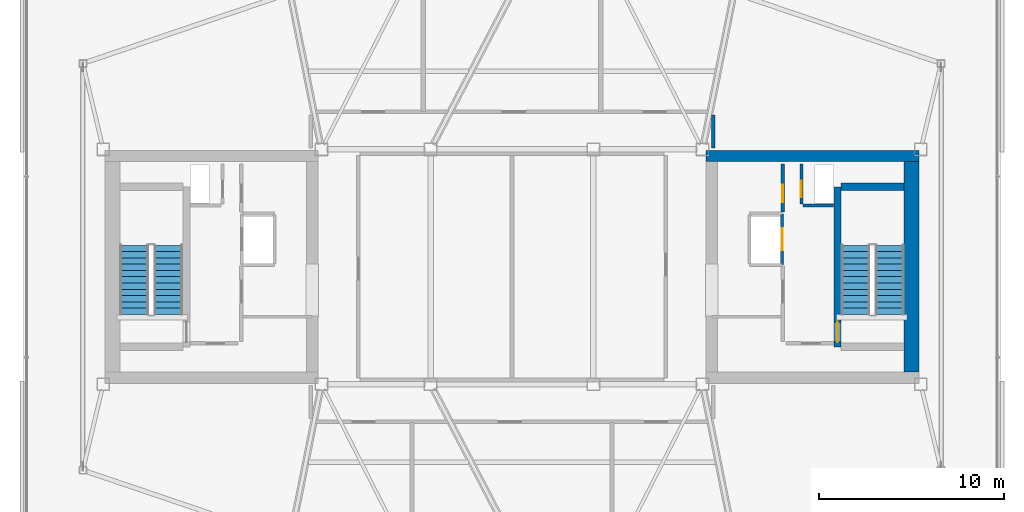
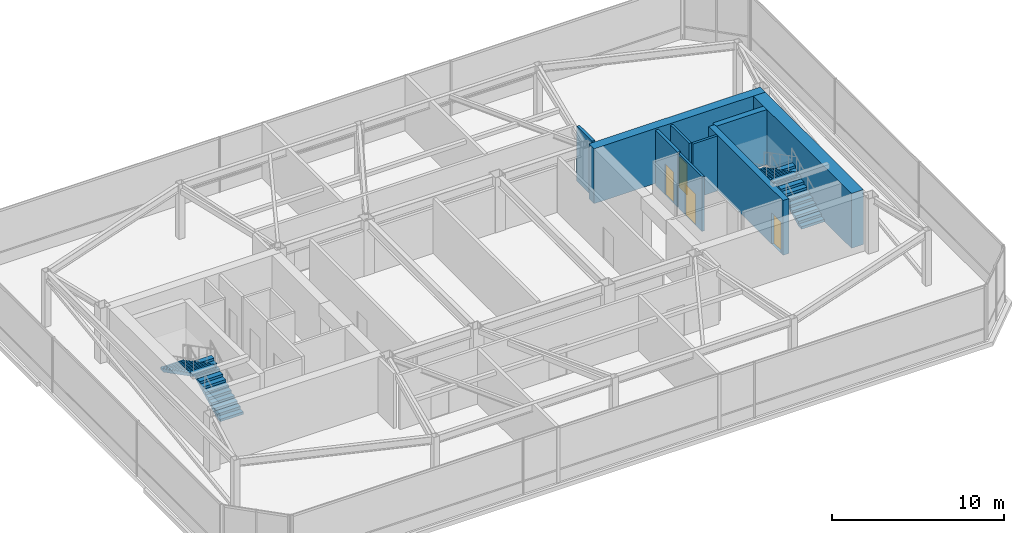
# One storey, part 18 of 21: 9 walls, 4 doors, 4 stair flights, 4 openings, 2 elements without a shape of their own.
"""IFC4 building model written with IfcOpenShell, lengths in metres."""

from ifc_helpers import new_model, si_unit, direction, frame, frame_2d, origin, place, context, subcontext, project, spatial, polyline, rectangle, outline, extrude, material, layer, layer_set, type_object, element, fill, aggregate, save


model = new_model("IFC4")

# Units and contexts
model_context = context("Model", 3, precision=1e-05, world=origin(), true_north=direction((0.0, 1.0)))
body_context = subcontext(model_context, "Body", "Model", "MODEL_VIEW")
ifc_project = project(units=[si_unit("LENGTHUNIT", "METRE"), si_unit("AREAUNIT", "SQUARE_METRE"), si_unit("VOLUMEUNIT", "CUBIC_METRE"), si_unit("PLANEANGLEUNIT", "RADIAN"), si_unit("MASSUNIT", "GRAM", prefix="KILO")], contexts=[model_context])

# Site, building, storey
site_placement = place(None, origin())
site = spatial("IfcSite", under=ifc_project, at=site_placement, CompositionType="ELEMENT")
building_placement = place(site_placement, origin())
building = spatial("IfcBuilding", under=site, at=building_placement, Name="Tavrogorsk Clinical Tower", CompositionType="ELEMENT")
storey_placement = place(building_placement, frame((0.0, 0.0, 348.60009765625)))
storey = spatial("IfcBuildingStorey", under=building, at=storey_placement, Name="L81", CompositionType="ELEMENT", Elevation=348.60009765625)

# Wall, opening, door
ifc_material_1 = material(Name="Concrete B60", Category="concrete")
ifc_layer_1 = layer(ifc_material_1, 0.199951171875)
ifc_layer_set_1 = layer_set([ifc_layer_1], Name="Concrete B60")
wall_type_1 = type_object("IfcWallType", Name="CoreFireWall_200", PredefinedType="SOLIDWALL", material=ifc_layer_set_1)
wall_1_placement = place(storey_placement, frame((14.639892578125, 2.9599609375, 0.0), z_axis=(0.0, 0.0, 1.0), x_axis=(0.0, 1.0, 0.0)))
wall_1 = element("IfcWall", 1, at=wall_1_placement, inside=storey, type_object=wall_type_1, Name="L81 Core East North Core Room East Wall", PredefinedType="SOLIDWALL", context=body_context, shape_type="SweptSolid", body=[
    extrude(rectangle(XDim=2.60009765625, YDim=0.199951171875, at=frame_2d((1.300048828125, 0.0))), origin(), (0.0, 0.0, 1.0), 3.89990234375),
])
opening_1_placement = place(wall_1_placement, frame((0.52001953125, 0.0, 0.0)))
opening_1 = element("IfcOpeningElement", 2, at=opening_1_placement, cuts=wall_1, Name="Opening ID-02", PredefinedType="OPENING", context=body_context, shape_type="SweptSolid", body=[
    extrude(rectangle(XDim=0.949951171875, YDim=2.199951171875, at=frame_2d((0.47509765625, 1.10009765625))), frame((0.0, 0.10986328125, 0.0), z_axis=(0.0, -1.0, 0.0), x_axis=(1.0, 0.0, 0.0)), (0.0, 0.0, 1.0), 0.219970703125),
])
ifc_material_2 = material(Name="Laminated timber leaf on aluminium frame", Category="wood")
door_type_1 = type_object("IfcDoorType", Name="InteriorDoor_ID02_950", OperationType="NOTDEFINED", PredefinedType="DOOR", material=ifc_material_2)
door_1_placement = place(opening_1_placement, origin())
door_1 = element("IfcDoor", 3, at=door_1_placement, inside=storey, type_object=door_type_1, Name="L81 Core East Core Telemetry Room Door", OperationType="SINGLE_SWING_LEFT", OverallHeight=2.199951171875, OverallWidth=0.949951171875, PredefinedType="DOOR", context=body_context, shape_type="SweptSolid", body=[
    extrude(rectangle(XDim=0.949951171875, YDim=2.199951171875, at=frame_2d((0.47509765625, 1.10009765625))), frame((0.0, 0.02490234375, 0.0), z_axis=(0.0, -1.0, 0.0), x_axis=(1.0, 0.0, 0.0)), (0.0, 0.0, 1.0), 0.050048828125),
])
fill(opening_1, door_1)

# Wall
wall_2_placement = place(storey_placement, frame((10.8798828125, 8.195068359375, 0.0), z_axis=(0.0, 0.0, 1.0), x_axis=(0.0, -1.0, 0.0)))
element("IfcWall", 4, at=wall_2_placement, inside=storey, type_object=wall_type_1, Name="L81 Crown Corridor Wall 04", PredefinedType="SOLIDWALL", context=body_context, shape_type="SweptSolid", body=[
    extrude(rectangle(XDim=1.775146484375, YDim=0.199951171875, at=frame_2d((0.8876953125, 0.0))), origin(), (0.0, 0.0, 1.0), 3.89990234375),
])

# Wall, opening, door
ifc_material_3 = material(Name="Lightweight concrete blockwork B25", Category="masonry")
ifc_layer_2 = layer(ifc_material_3, 0.159912109375)
ifc_layer_set_2 = layer_set([ifc_layer_2], Name="Lightweight concrete blockwork B25")
wall_type_2 = type_object("IfcWallType", Name="ShaftWall_160", PredefinedType="PARTITIONING", material=ifc_layer_set_2)
wall_3_placement = place(storey_placement, frame((14.60009765625, 0.1201171875, 0.0), z_axis=(0.0, 0.0, 1.0), x_axis=(0.0, 1.0, 0.0)))
wall_3 = element("IfcWall", 5, at=wall_3_placement, inside=storey, type_object=wall_type_2, Name="L81 FFL-E Firefighting Lift Front Wall", PredefinedType="PARTITIONING", context=body_context, shape_type="SweptSolid", body=[
    extrude(rectangle(XDim=2.739990234375, YDim=0.159912109375, at=frame_2d((1.3701171875, 0.0))), origin(), (0.0, 0.0, 1.0), 3.89990234375),
])
opening_2_placement = place(wall_3_placement, frame((0.77001953125, 0.0, 0.0)))
opening_2 = element("IfcOpeningElement", 6, at=opening_2_placement, cuts=wall_3, Name="Opening LD", PredefinedType="OPENING", context=body_context, shape_type="SweptSolid", body=[
    extrude(rectangle(XDim=1.199951171875, YDim=2.199951171875, at=frame_2d((0.60009765625, 1.10009765625))), frame((0.0, 0.08984375, 0.0), z_axis=(0.0, -1.0, 0.0), x_axis=(1.0, 0.0, 0.0)), (0.0, 0.0, 1.0), 0.179931640625),
])
ifc_material_4 = material(Name="Brushed stainless steel AISI 304 sliding doors", Category="steel")
door_type_2 = type_object("IfcDoorType", Name="LiftLandingDoor_LD_1200", OperationType="SLIDING_TO_LEFT", PredefinedType="DOOR", material=ifc_material_4)
door_2_placement = place(opening_2_placement, origin())
door_2 = element("IfcDoor", 7, at=door_2_placement, inside=storey, type_object=door_type_2, Name="L81 FFL-E Sliding Lift Landing Door", OperationType="SLIDING_TO_LEFT", OverallHeight=2.199951171875, OverallWidth=1.199951171875, PredefinedType="DOOR", context=body_context, shape_type="SweptSolid", body=[
    extrude(rectangle(XDim=1.199951171875, YDim=2.199951171875, at=frame_2d((0.60009765625, 1.10009765625))), frame((0.0, 0.02490234375, 0.0), z_axis=(0.0, -1.0, 0.0), x_axis=(1.0, 0.0, 0.0)), (0.0, 0.0, 1.0), 0.050048828125),
])
fill(opening_2, door_2)

wall_4_placement = place(storey_placement, frame((15.639892578125, 3.405029296875, 0.0), z_axis=(0.0, 0.0, 1.0), x_axis=(0.0, 1.0, 0.0)))
wall_4 = element("IfcWall", 8, at=wall_4_placement, inside=storey, type_object=wall_type_2, Name="L81 Core East Riser West Wall", PredefinedType="PARTITIONING", context=body_context, shape_type="SweptSolid", body=[
    extrude(rectangle(XDim=2.155029296875, YDim=0.159912109375, at=frame_2d((1.07763671875, 0.0))), origin(), (0.0, 0.0, 1.0), 3.89990234375),
])
opening_3_placement = place(wall_4_placement, frame((0.35009765625, 0.0, 0.0)))
opening_3 = element("IfcOpeningElement", 9, at=opening_3_placement, cuts=wall_4, Name="Opening FD-02", PredefinedType="OPENING", context=body_context, shape_type="SweptSolid", body=[
    extrude(rectangle(XDim=0.89990234375, YDim=2.199951171875, at=frame_2d((0.449951171875, 1.10009765625))), frame((0.0, 0.08984375, 0.0), z_axis=(0.0, -1.0, 0.0), x_axis=(1.0, 0.0, 0.0)), (0.0, 0.0, 1.0), 0.179931640625),
])
ifc_material_5 = material(Name="Galvanised steel fire-rated door assembly", Category="steel")
door_type_3 = type_object("IfcDoorType", Name="FireDoor_FD02_900", OperationType="NOTDEFINED", PredefinedType="DOOR", material=ifc_material_5)
door_3_placement = place(opening_3_placement, origin())
door_3 = element("IfcDoor", 10, at=door_3_placement, inside=storey, type_object=door_type_3, Name="L81 Core East Electrical Riser Access Door", OperationType="SINGLE_SWING_LEFT", OverallHeight=2.199951171875, OverallWidth=0.89990234375, PredefinedType="DOOR", context=body_context, shape_type="SweptSolid", body=[
    extrude(rectangle(XDim=0.89990234375, YDim=2.199951171875, at=frame_2d((0.449951171875, 1.10009765625))), frame((0.0, 0.02490234375, 0.0), z_axis=(0.0, -1.0, 0.0), x_axis=(1.0, 0.0, 0.0)), (0.0, 0.0, 1.0), 0.050048828125),
])
fill(opening_3, door_3)

# Wall
wall_5_placement = place(storey_placement, frame((15.72509765625, 3.320068359375, 0.0), z_axis=(0.0, 0.0, 1.0), x_axis=(1.0, 0.0, 0.0)))
element("IfcWall", 11, at=wall_5_placement, inside=storey, type_object=wall_type_2, Name="L81 Core East Riser South Wall", PredefinedType="PARTITIONING", context=body_context, shape_type="SweptSolid", body=[
    extrude(rectangle(XDim=1.65478515625, YDim=0.159912109375, at=frame_2d((0.827392578125, 0.0))), origin(), (0.0, 0.0, 1.0), 3.89990234375),
])

# Wall, opening, door
ifc_material_6 = material(Name="Concrete B80", Category="concrete")
ifc_layer_3 = layer(ifc_material_6, 0.39990234375)
ifc_layer_set_3 = layer_set([ifc_layer_3], Name="Concrete B80")
wall_type_3 = type_object("IfcWallType", Name="ShearWall_400", PredefinedType="SHEAR", material=ifc_layer_set_3)
wall_6_placement = place(storey_placement, frame((17.60009765625, -4.324951171875, 0.0), z_axis=(0.0, 0.0, 1.0), x_axis=(0.0, 1.0, 0.0)))
wall_6 = element("IfcWall", 12, at=wall_6_placement, inside=storey, type_object=wall_type_3, Name="L81 Core East Stair Shaft Inner Shear Wall", PredefinedType="SHEAR", context=body_context, shape_type="SweptSolid", body=[
    extrude(rectangle(XDim=8.64990234375, YDim=0.39990234375, at=frame_2d((4.324951171875, 0.0))), origin(), (0.0, 0.0, 1.0), 3.89990234375),
])
opening_4_placement = place(wall_6_placement, frame((0.25, 0.0, 0.0)))
opening_4 = element("IfcOpeningElement", 13, at=opening_4_placement, cuts=wall_6, Name="Opening SD-01", PredefinedType="OPENING", context=body_context, shape_type="SweptSolid", body=[
    extrude(rectangle(XDim=1.10009765625, YDim=2.199951171875, at=frame_2d((0.550048828125, 1.10009765625))), frame((0.0, 0.2099609375, 0.0), z_axis=(0.0, -1.0, 0.0), x_axis=(1.0, 0.0, 0.0)), (0.0, 0.0, 1.0), 0.419921875),
])
ifc_material_7 = material(Name="Galvanised steel smoke-tight fire door assembly", Category="steel")
door_type_4 = type_object("IfcDoorType", Name="StairFireDoor_SD01_1100", OperationType="NOTDEFINED", PredefinedType="DOOR", material=ifc_material_7)
door_4_placement = place(opening_4_placement, origin())
door_4 = element("IfcDoor", 14, at=door_4_placement, inside=storey, type_object=door_type_4, Name="L81 ST-E Exit Stair Door", OperationType="SINGLE_SWING_LEFT", OverallHeight=2.199951171875, OverallWidth=1.10009765625, PredefinedType="DOOR", context=body_context, shape_type="SweptSolid", body=[
    extrude(rectangle(XDim=1.10009765625, YDim=2.199951171875, at=frame_2d((0.550048828125, 1.10009765625))), frame((0.0, 0.02490234375, 0.0), z_axis=(0.0, -1.0, 0.0), x_axis=(1.0, 0.0, 0.0)), (0.0, 0.0, 1.0), 0.050048828125),
])
fill(opening_4, door_4)

# Walls
wall_7_placement = place(storey_placement, frame((17.800048828125, 4.324951171875, 0.0), z_axis=(0.0, 0.0, 1.0), x_axis=(1.0, 0.0, 0.0)))
element("IfcWall", 15, at=wall_7_placement, inside=storey, type_object=wall_type_3, Name="L81 Core East Stair Shaft North Shear Wall", PredefinedType="SHEAR", context=body_context, shape_type="SweptSolid", body=[
    extrude(rectangle(XDim=3.39990234375, YDim=0.39990234375, at=frame_2d((1.699951171875, 0.0))), origin(), (0.0, 0.0, 1.0), 3.89990234375),
])
ifc_material_8 = material(Name="Concrete B80", Category="concrete")
ifc_layer_4 = layer(ifc_material_8, 0.60009765625)
ifc_layer_set_4 = layer_set([ifc_layer_4], Name="Concrete B80")
wall_type_4 = type_object("IfcWallType", Name="ShearWall_600", PredefinedType="SHEAR", material=ifc_layer_set_4)
wall_8_placement = place(storey_placement, frame((10.5, 6.0, 0.0), z_axis=(0.0, 0.0, 1.0), x_axis=(1.0, 0.0, 0.0)))
element("IfcWall", 16, at=wall_8_placement, inside=storey, type_object=wall_type_4, Name="L81 Core East North Shear Wall", PredefinedType="SHEAR", context=body_context, shape_type="SweptSolid", body=[
    extrude(rectangle(XDim=11.5, YDim=0.60009765625, at=frame_2d((5.75, 0.0))), origin(), (0.0, 0.0, 1.0), 3.89990234375),
])
ifc_material_9 = material(Name="Concrete B80", Category="concrete")
ifc_layer_5 = layer(ifc_material_9, 0.800048828125)
ifc_layer_set_5 = layer_set([ifc_layer_5], Name="Concrete B80")
wall_type_5 = type_object("IfcWallType", Name="ShearWall_800", PredefinedType="SHEAR", material=ifc_layer_set_5)
wall_9_placement = place(storey_placement, frame((21.60009765625, -5.699951171875, 0.0), z_axis=(0.0, 0.0, 1.0), x_axis=(0.0, 1.0, 0.0)))
element("IfcWall", 17, at=wall_9_placement, inside=storey, type_object=wall_type_5, Name="L81 Core East End Shear Wall", PredefinedType="SHEAR", context=body_context, shape_type="SweptSolid", body=[
    extrude(rectangle(XDim=11.39990234375, YDim=0.800048828125, at=frame_2d((5.699951171875, 0.0))), origin(), (0.0, 0.0, 1.0), 3.89990234375),
])

# Stair, stair flights
ifc_material_10 = material(Name="Concrete B60", Category="concrete")
stair_type = type_object("IfcStairType", Name="CoreStairAssembly", PredefinedType="HALF_TURN_STAIR", material=ifc_material_10)
stair_1_placement = place(storey_placement, origin())
stair_1 = element("IfcStair", 18, at=stair_1_placement, inside=storey, type_object=stair_type, Name="L81 ST-W", PredefinedType="HALF_TURN_STAIR")
ifc_material_11 = material(Name="Concrete B60", Category="concrete")
stair_flight_type = type_object("IfcStairFlightType", Name="CoreStairFlight", PredefinedType="STRAIGHT", material=ifc_material_11)
stair_flight_1_placement = place(storey_placement, frame((-18.574951171875, -2.574951171875, 0.0), z_axis=(0.0, 0.0, 1.0), x_axis=(0.0, 1.0, 0.0)))
stair_flight_1 = element("IfcStairFlight", 19, at=stair_flight_1_placement, type_object=stair_flight_type, Name="ST-W flight 1", NumberOfRisers=12, NumberOfTreads=11, PredefinedType="STRAIGHT", RiserHeight=0.175, TreadLength=0.34, context=body_context, shape_type="SweptSolid", body=[
    extrude(outline(polyline([(0.0, 0.0), (0.0, 0.175048828125), (0.340087890625, 0.175048828125), (0.340087890625, 0.35009765625), (0.679931640625, 0.35009765625), (0.679931640625, 0.52490234375), (1.02001953125, 0.52490234375), (1.02001953125, 0.699951171875), (1.360107421875, 0.699951171875), (1.360107421875, 0.875), (1.699951171875, 0.875), (1.699951171875, 1.050048828125), (2.0400390625, 1.050048828125), (2.0400390625, 1.22509765625), (2.3798828125, 1.22509765625), (2.3798828125, 1.39990234375), (2.719970703125, 1.39990234375), (2.719970703125, 1.574951171875), (3.06005859375, 1.574951171875), (3.06005859375, 1.75), (3.39990234375, 1.75), (3.39990234375, 1.925048828125), (3.739990234375, 1.925048828125), (3.739990234375, 2.10009765625), (3.739990234375, 1.75634765625), (0.32763671875, 0.0), (0.0, 0.0)])), frame((0.0, 0.77490234375, 0.0), z_axis=(0.0, -1.0, 0.0), x_axis=(1.0, 0.0, 0.0)), (0.0, 0.0, 1.0), 1.550048828125),
])
stair_flight_2_placement = place(storey_placement, frame((-20.425048828125, 1.1650390625, 2.099853515625), z_axis=(0.0, 0.0, 1.0), x_axis=(0.0, -1.0, 0.0)))
stair_flight_2 = element("IfcStairFlight", 20, at=stair_flight_2_placement, type_object=stair_flight_type, Name="ST-W flight 2", NumberOfRisers=12, NumberOfTreads=11, PredefinedType="STRAIGHT", RiserHeight=0.175, TreadLength=0.34, context=body_context, shape_type="SweptSolid", body=[
    extrude(outline(polyline([(0.0, 0.0), (0.0, 0.175048828125), (0.340087890625, 0.175048828125), (0.340087890625, 0.35009765625), (0.679931640625, 0.35009765625), (0.679931640625, 0.52490234375), (1.02001953125, 0.52490234375), (1.02001953125, 0.699951171875), (1.360107421875, 0.699951171875), (1.360107421875, 0.875), (1.699951171875, 0.875), (1.699951171875, 1.050048828125), (2.0400390625, 1.050048828125), (2.0400390625, 1.22509765625), (2.3798828125, 1.22509765625), (2.3798828125, 1.39990234375), (2.719970703125, 1.39990234375), (2.719970703125, 1.574951171875), (3.06005859375, 1.574951171875), (3.06005859375, 1.75), (3.39990234375, 1.75), (3.39990234375, 1.925048828125), (3.739990234375, 1.925048828125), (3.739990234375, 2.10009765625), (3.739990234375, 1.75634765625), (0.32763671875, 0.0), (0.0, 0.0)])), frame((0.0, 0.77490234375, 0.0), z_axis=(0.0, -1.0, 0.0), x_axis=(1.0, 0.0, 0.0)), (0.0, 0.0, 1.0), 1.550048828125),
])
aggregate(stair_1, [stair_flight_1, stair_flight_2])

stair_2_placement = place(storey_placement, origin())
stair_2 = element("IfcStair", 21, at=stair_2_placement, inside=storey, type_object=stair_type, Name="L81 ST-E", PredefinedType="HALF_TURN_STAIR")
stair_flight_3_placement = place(storey_placement, frame((20.425048828125, -2.574951171875, 0.0), z_axis=(0.0, 0.0, 1.0), x_axis=(0.0, 1.0, 0.0)))
stair_flight_3 = element("IfcStairFlight", 22, at=stair_flight_3_placement, type_object=stair_flight_type, Name="ST-E flight 1", NumberOfRisers=12, NumberOfTreads=11, PredefinedType="STRAIGHT", RiserHeight=0.175, TreadLength=0.34, context=body_context, shape_type="SweptSolid", body=[
    extrude(outline(polyline([(0.0, 0.0), (0.0, 0.175048828125), (0.340087890625, 0.175048828125), (0.340087890625, 0.35009765625), (0.679931640625, 0.35009765625), (0.679931640625, 0.52490234375), (1.02001953125, 0.52490234375), (1.02001953125, 0.699951171875), (1.360107421875, 0.699951171875), (1.360107421875, 0.875), (1.699951171875, 0.875), (1.699951171875, 1.050048828125), (2.0400390625, 1.050048828125), (2.0400390625, 1.22509765625), (2.3798828125, 1.22509765625), (2.3798828125, 1.39990234375), (2.719970703125, 1.39990234375), (2.719970703125, 1.574951171875), (3.06005859375, 1.574951171875), (3.06005859375, 1.75), (3.39990234375, 1.75), (3.39990234375, 1.925048828125), (3.739990234375, 1.925048828125), (3.739990234375, 2.10009765625), (3.739990234375, 1.75634765625), (0.32763671875, 0.0), (0.0, 0.0)])), frame((0.0, 0.77490234375, 0.0), z_axis=(0.0, -1.0, 0.0), x_axis=(1.0, 0.0, 0.0)), (0.0, 0.0, 1.0), 1.550048828125),
])
stair_flight_4_placement = place(storey_placement, frame((18.574951171875, 1.1650390625, 2.099853515625), z_axis=(0.0, 0.0, 1.0), x_axis=(0.0, -1.0, 0.0)))
stair_flight_4 = element("IfcStairFlight", 23, at=stair_flight_4_placement, type_object=stair_flight_type, Name="ST-E flight 2", NumberOfRisers=12, NumberOfTreads=11, PredefinedType="STRAIGHT", RiserHeight=0.175, TreadLength=0.34, context=body_context, shape_type="SweptSolid", body=[
    extrude(outline(polyline([(0.0, 0.0), (0.0, 0.175048828125), (0.340087890625, 0.175048828125), (0.340087890625, 0.35009765625), (0.679931640625, 0.35009765625), (0.679931640625, 0.52490234375), (1.02001953125, 0.52490234375), (1.02001953125, 0.699951171875), (1.360107421875, 0.699951171875), (1.360107421875, 0.875), (1.699951171875, 0.875), (1.699951171875, 1.050048828125), (2.0400390625, 1.050048828125), (2.0400390625, 1.22509765625), (2.3798828125, 1.22509765625), (2.3798828125, 1.39990234375), (2.719970703125, 1.39990234375), (2.719970703125, 1.574951171875), (3.06005859375, 1.574951171875), (3.06005859375, 1.75), (3.39990234375, 1.75), (3.39990234375, 1.925048828125), (3.739990234375, 1.925048828125), (3.739990234375, 2.10009765625), (3.739990234375, 1.75634765625), (0.32763671875, 0.0), (0.0, 0.0)])), frame((0.0, 0.77490234375, 0.0), z_axis=(0.0, -1.0, 0.0), x_axis=(1.0, 0.0, 0.0)), (0.0, 0.0, 1.0), 1.550048828125),
])
aggregate(stair_2, [stair_flight_3, stair_flight_4])

save(model, "model.ifc")
